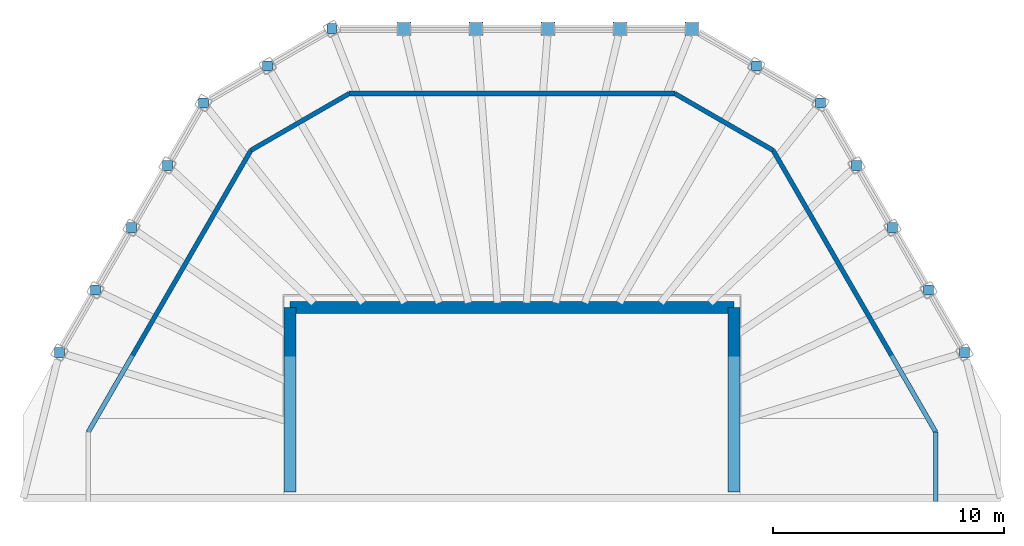
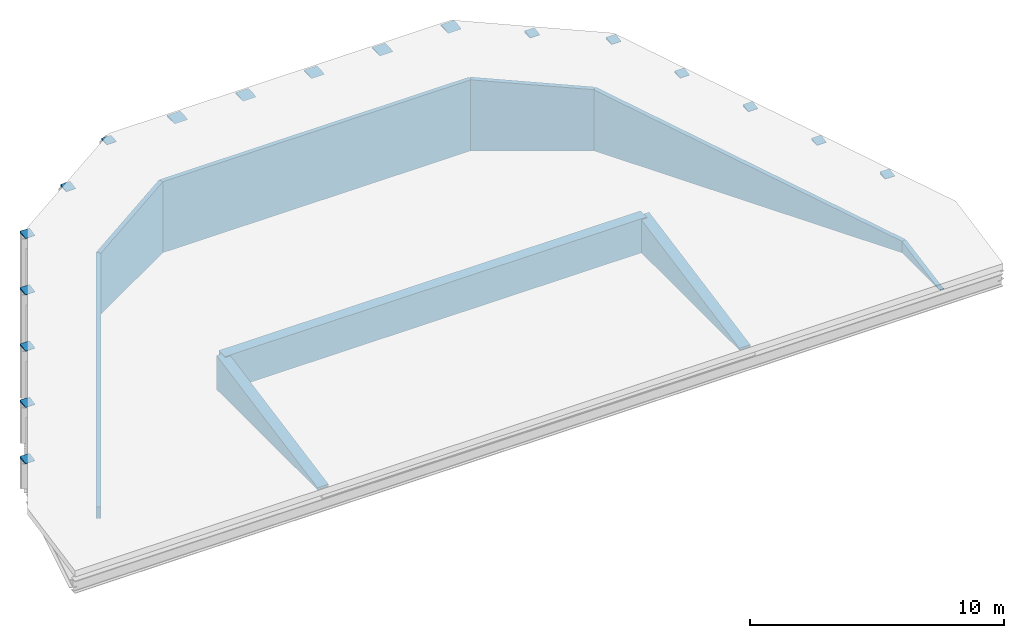
# One storey, part 2 of 3: 18 discrete accessories, 9 walls.
"""IFC4 building model written with IfcOpenShell, lengths in metres."""

from ifc_helpers import new_model, si_unit, direction, frame, origin, place, context, subcontext, project, spatial, polyline, outline, extrude, material, layer, layer_set, type_object, element, save


model = new_model("IFC4")

# Units and contexts
model_context = context("Model", 3, precision=1e-05, world=origin(), true_north=direction((0.0, 1.0)))
body_context = subcontext(model_context, "Body", "Model", "MODEL_VIEW")
ifc_project = project(units=[si_unit("LENGTHUNIT", "METRE"), si_unit("AREAUNIT", "SQUARE_METRE"), si_unit("VOLUMEUNIT", "CUBIC_METRE"), si_unit("PLANEANGLEUNIT", "RADIAN"), si_unit("MASSUNIT", "GRAM", prefix="KILO")], contexts=[model_context])

# Site, building, storey
site_placement = place(None, origin())
site = spatial("IfcSite", under=ifc_project, at=site_placement, CompositionType="ELEMENT")
building_placement = place(site_placement, origin())
building = spatial("IfcBuilding", under=site, at=building_placement, Name="Frailejon Research Tower", CompositionType="ELEMENT")
storey_placement = place(building_placement, frame((0.0, 0.0, 368.60009765625)))
storey = spatial("IfcBuildingStorey", under=building, at=storey_placement, Name="L83", CompositionType="ELEMENT", Elevation=368.60009765625)

# Walls
ifc_material_1 = material(Name="Concrete C50/60", Category="concrete")
ifc_layer_1 = layer(ifc_material_1, 0.5)
ifc_layer_set_1 = layer_set([ifc_layer_1], Name="Core shear wall 500 C50/60")
wall_type_1 = type_object("IfcWallType", Name="Core shear wall 500 C50/60", PredefinedType="SHEAR", material=ifc_layer_set_1)
wall_1_placement = place(storey_placement, frame((9.60009765625, -0.130126953125, 0.0), z_axis=(0.0, 0.0, 1.0), x_axis=(0.0, 1.0, 0.0)))
element("IfcWall", 1, at=wall_1_placement, inside=storey, type_object=wall_type_1, Name="Core shear wall", PredefinedType="SHEAR", context=body_context, shape_type="SweptSolid", body=[
    extrude(outline(polyline([(0.0, 0.0), (7.980224609375, 0.0), (7.980224609375, 1.640625), (0.0, 0.099853515625), (0.0, 0.0)])), frame((0.0, 0.25, 0.0), z_axis=(0.0, -1.0, 0.0), x_axis=(1.0, 0.0, 0.0)), (0.0, 0.0, 1.0), 0.5),
])
wall_2_placement = place(storey_placement, frame((9.60009765625, 7.85009765625, 0.0), z_axis=(0.0, 0.0, 1.0), x_axis=(-1.0, 0.0, 0.0)))
element("IfcWall", 2, at=wall_2_placement, inside=storey, type_object=wall_type_1, Name="Core shear wall", PredefinedType="SHEAR", context=body_context, shape_type="SweptSolid", body=[
    extrude(outline(polyline([(0.0, 0.0), (19.2001953125, 0.0), (19.199951171875, 1.640625), (0.0, 1.640625), (0.0, 0.0)])), frame((0.0, 0.25, 0.0), z_axis=(0.0, -1.0, 0.0), x_axis=(1.0, 0.0, 0.0)), (0.0, 0.0, 1.0), 0.5),
])
wall_3_placement = place(storey_placement, frame((-9.60009765625, 7.85009765625, 0.0), z_axis=(0.0, 0.0, 1.0), x_axis=(0.0, -1.0, 0.0)))
element("IfcWall", 3, at=wall_3_placement, inside=storey, type_object=wall_type_1, Name="Core shear wall", PredefinedType="SHEAR", context=body_context, shape_type="SweptSolid", body=[
    extrude(outline(polyline([(0.0, 0.0), (7.980224609375, 0.0), (7.980224609375, 0.099853515625), (0.0, 1.640625), (0.0, 0.0)])), frame((0.0, 0.25, 0.0), z_axis=(0.0, -1.0, 0.0), x_axis=(1.0, 0.0, 0.0)), (0.0, 0.0, 1.0), 0.5),
])
ifc_material_2 = material(Name="Aluminium louvre cladding panel", Category="aluminium")
ifc_layer_2 = layer(ifc_material_2, 0.199951171875)
ifc_layer_set_2 = layer_set([ifc_layer_2], Name="Crown louvred wall 200")
wall_type_2 = type_object("IfcWallType", Name="Crown louvred wall 200", PredefinedType="SOLIDWALL", material=ifc_layer_set_2)
wall_4_placement = place(storey_placement, frame((18.327392578125, -0.5302734375, 0.02978515625), z_axis=(0.0, 0.0, 1.0), x_axis=(0.0, 1.0, 0.0)))
element("IfcWall", 4, at=wall_4_placement, inside=storey, type_object=wall_type_2, Name="Crown louvred wall L83", PredefinedType="SOLIDWALL", context=body_context, shape_type="SweptSolid", body=[
    extrude(outline(polyline([(0.0, 0.0), (2.986083984375, 0.0), (2.986083984375, 0.5546875), (0.0, 0.0), (0.0, 0.0)])), frame((0.0, 0.10009765625, 0.0), z_axis=(0.0, -1.0, 0.0), x_axis=(1.0, 0.0, 0.0)), (0.0, 0.0, 1.0), 0.199951171875),
])
wall_5_placement = place(storey_placement, frame((18.327392578125, 2.455810546875, 0.02978515625), z_axis=(0.0, 0.0, 1.0), x_axis=(-0.499991740577, 0.866030172312, 0.0)))
element("IfcWall", 5, at=wall_5_placement, inside=storey, type_object=wall_type_2, Name="Crown louvred wall L83", PredefinedType="SOLIDWALL", context=body_context, shape_type="SweptSolid", body=[
    extrude(outline(polyline([(0.0, 0.0), (14.073974609375, 0.0), (14.073974609375, 2.941162109375), (0.0, 0.5546875), (0.0, 0.0)])), frame((0.0, 0.10009765625, 0.0), z_axis=(0.0, -1.0, 0.0), x_axis=(1.0, 0.0, 0.0)), (0.0, 0.0, 1.0), 0.199951171875),
])
wall_6_placement = place(storey_placement, frame((11.29052734375, 14.644287109375, 0.02978515625), z_axis=(0.0, 0.0, 1.0), x_axis=(-0.86601671623, 0.500015046984, 0.0)))
element("IfcWall", 6, at=wall_6_placement, inside=storey, type_object=wall_type_2, Name="Crown louvred wall L83", PredefinedType="SOLIDWALL", context=body_context, shape_type="SweptSolid", body=[
    extrude(outline(polyline([(0.0, 0.0), (4.911376953125, 0.0), (4.91162109375, 3.421875), (0.0, 2.941162109375), (0.0, 0.0)])), frame((0.0, 0.10009765625, 0.0), z_axis=(0.0, -1.0, 0.0), x_axis=(1.0, 0.0, 0.0)), (0.0, 0.0, 1.0), 0.199951171875),
])
wall_7_placement = place(storey_placement, frame((7.037109375, 17.10009765625, 0.02978515625), z_axis=(0.0, 0.0, 1.0), x_axis=(-1.0, 0.0, 0.0)))
element("IfcWall", 7, at=wall_7_placement, inside=storey, type_object=wall_type_2, Name="Crown louvred wall L83", PredefinedType="SOLIDWALL", context=body_context, shape_type="SweptSolid", body=[
    extrude(outline(polyline([(0.0, 0.0), (14.07421875, 0.0), (14.073974609375, 3.421875), (0.0, 3.421875), (0.0, 0.0)])), frame((0.0, 0.10009765625, 0.0), z_axis=(0.0, -1.0, 0.0), x_axis=(1.0, 0.0, 0.0)), (0.0, 0.0, 1.0), 0.199951171875),
])
wall_8_placement = place(storey_placement, frame((-7.037109375, 17.10009765625, 0.02978515625), z_axis=(0.0, 0.0, 1.0), x_axis=(-0.86601671623, -0.500015046984, 0.0)))
element("IfcWall", 8, at=wall_8_placement, inside=storey, type_object=wall_type_2, Name="Crown louvred wall L83", PredefinedType="SOLIDWALL", context=body_context, shape_type="SweptSolid", body=[
    extrude(outline(polyline([(0.0, 0.0), (4.911376953125, 0.0), (4.91162109375, 2.941162109375), (0.0, 3.421875), (0.0, 0.0)])), frame((0.0, 0.10009765625, 0.0), z_axis=(0.0, -1.0, 0.0), x_axis=(1.0, 0.0, 0.0)), (0.0, 0.0, 1.0), 0.199951171875),
])
wall_9_placement = place(storey_placement, frame((-11.29052734375, 14.644287109375, 0.02978515625), z_axis=(0.0, 0.0, 1.0), x_axis=(-0.499991740577, -0.866030172312, 0.0)))
element("IfcWall", 9, at=wall_9_placement, inside=storey, type_object=wall_type_2, Name="Crown louvred wall L83", PredefinedType="SOLIDWALL", context=body_context, shape_type="SweptSolid", body=[
    extrude(outline(polyline([(0.0, 0.0), (14.073974609375, 0.0), (14.073974609375, 0.5546875), (0.0, 2.941162109375), (0.0, 0.0)])), frame((0.0, 0.10009765625, 0.0), z_axis=(0.0, -1.0, 0.0), x_axis=(1.0, 0.0, 0.0)), (0.0, 0.0, 1.0), 0.199951171875),
])

# Discrete accessories
discrete_accessory_1_placement = place(storey_placement, frame((19.3505859375, 5.903564453125, 1.20068359375), z_axis=(1.0, 0.0, 0.0), x_axis=(0.0, 1.0, 0.0)))
element("IfcDiscreteAccessory", 10, at=discrete_accessory_1_placement, inside=storey, Name="Crown column bearing wedge", PredefinedType="ANCHORPLATE", context=body_context, shape_type="SweptSolid", body=[
    extrude(outline(polyline([(-0.219482421875, 0.0), (0.219482421875, 0.0), (0.219482421875, 0.101806640625), (-0.219482421875, 0.015869140625), (-0.219482421875, 0.0)])), origin(), (0.0, 0.0, 1.0), 0.439208984375),
])
discrete_accessory_2_placement = place(storey_placement, frame((17.79296875, 8.601318359375, 1.72900390625), z_axis=(1.0, 0.0, 0.0), x_axis=(0.0, 1.0, 0.0)))
element("IfcDiscreteAccessory", 11, at=discrete_accessory_2_placement, inside=storey, Name="Crown column bearing wedge", PredefinedType="ANCHORPLATE", context=body_context, shape_type="SweptSolid", body=[
    extrude(outline(polyline([(-0.219482421875, 0.0), (0.219482421875, 0.0), (0.219482421875, 0.101806640625), (-0.219482421875, 0.015625), (-0.219482421875, 0.0)])), origin(), (0.0, 0.0, 1.0), 0.439208984375),
])
discrete_accessory_3_placement = place(storey_placement, frame((16.235595703125, 11.298828125, 2.257080078125), z_axis=(1.0, 0.0, 0.0), x_axis=(0.0, 1.0, 0.0)))
element("IfcDiscreteAccessory", 12, at=discrete_accessory_3_placement, inside=storey, Name="Crown column bearing wedge", PredefinedType="ANCHORPLATE", context=body_context, shape_type="SweptSolid", body=[
    extrude(outline(polyline([(-0.219482421875, 0.0), (0.219482421875, 0.0), (0.219482421875, 0.101806640625), (-0.219482421875, 0.015869140625), (-0.219482421875, 0.0)])), origin(), (0.0, 0.0, 1.0), 0.439208984375),
])
for number, where, z_axis, x_axis, name in (
    (13, (14.677978515625, 13.996337890625, 2.785400390625), (1.0, 0.0, 0.0), (0.0, 1.0, 0.0), "Crown column bearing wedge"),
    (14, (13.12060546875, 16.69384765625, 3.3134765625), (1.0, 0.0, 0.0), (0.0, 1.0, 0.0), "Crown column bearing wedge"),
):
    element("IfcDiscreteAccessory", number, at=place(storey_placement, frame(where, z_axis=z_axis, x_axis=x_axis)), inside=storey, Name=name, PredefinedType="ANCHORPLATE", context=body_context, shape_type="SweptSolid", body=[
        extrude(outline(polyline([(-0.219482421875, 0.0), (0.219482421875, 0.0), (0.219482421875, 0.101806640625), (-0.219482421875, 0.015625), (-0.219482421875, 0.0)])), origin(), (0.0, 0.0, 1.0), 0.439208984375),
    ])
discrete_accessory_4_placement = place(storey_placement, frame((10.34423828125, 18.297119140625, 3.627197265625), z_axis=(1.0, 0.0, 0.0), x_axis=(0.0, 1.0, 0.0)))
element("IfcDiscreteAccessory", 15, at=discrete_accessory_4_placement, inside=storey, Name="Crown column bearing wedge", PredefinedType="ANCHORPLATE", context=body_context, shape_type="SweptSolid", body=[
    extrude(outline(polyline([(-0.219482421875, 0.0), (0.219482421875, 0.0), (0.219482421875, 0.101806640625), (-0.219482421875, 0.015869140625), (-0.219482421875, 0.0)])), origin(), (0.0, 0.0, 1.0), 0.439208984375),
])
for number, where, z_axis, x_axis, name in (
    (16, (7.4873046875, 19.89990234375, 3.941162109375), (1.0, 0.0, 0.0), (0.0, 1.0, 0.0), "Crown column bearing wedge"),
    (17, (4.372314453125, 19.89990234375, 3.941162109375), (1.0, 0.0, 0.0), (0.0, 1.0, 0.0), "Crown column bearing wedge"),
    (18, (1.25732421875, 19.89990234375, 3.941162109375), (1.0, 0.0, 0.0), (0.0, 1.0, 0.0), "Crown column bearing wedge"),
    (19, (-1.857421875, 19.89990234375, 3.941162109375), (1.0, 0.0, 0.0), (0.0, 1.0, 0.0), "Crown column bearing wedge"),
    (20, (-4.972412109375, 19.89990234375, 3.941162109375), (1.0, 0.0, 0.0), (0.0, 1.0, 0.0), "Crown column bearing wedge"),
):
    element("IfcDiscreteAccessory", number, at=place(storey_placement, frame(where, z_axis=z_axis, x_axis=x_axis)), inside=storey, Name=name, PredefinedType="ANCHORPLATE", context=body_context, shape_type="SweptSolid", body=[
        extrude(outline(polyline([(-0.300048828125, 0.0), (0.300048828125, 0.0), (0.300048828125, 0.05859375), (0.0, 0.05859375), (-0.300048828125, 0.0)])), origin(), (0.0, 0.0, 1.0), 0.60009765625),
    ])
discrete_accessory_5_placement = place(storey_placement, frame((-8.0068359375, 19.89990234375, 3.941162109375), z_axis=(1.0, 0.0, 0.0), x_axis=(0.0, 1.0, 0.0)))
element("IfcDiscreteAccessory", 21, at=discrete_accessory_5_placement, inside=storey, Name="Crown column bearing wedge", PredefinedType="ANCHORPLATE", context=body_context, shape_type="SweptSolid", body=[
    extrude(outline(polyline([(-0.219482421875, 0.0), (0.219482421875, 0.0), (0.219482421875, 0.05859375), (0.0, 0.05859375), (-0.219482421875, 0.015625), (-0.219482421875, 0.0)])), origin(), (0.0, 0.0, 1.0), 0.439208984375),
])
discrete_accessory_6_placement = place(storey_placement, frame((-10.783447265625, 18.297119140625, 3.627197265625), z_axis=(1.0, 0.0, 0.0), x_axis=(0.0, 1.0, 0.0)))
element("IfcDiscreteAccessory", 22, at=discrete_accessory_6_placement, inside=storey, Name="Crown column bearing wedge", PredefinedType="ANCHORPLATE", context=body_context, shape_type="SweptSolid", body=[
    extrude(outline(polyline([(-0.219482421875, 0.0), (0.219482421875, 0.0), (0.219482421875, 0.101806640625), (-0.219482421875, 0.015869140625), (-0.219482421875, 0.0)])), origin(), (0.0, 0.0, 1.0), 0.439208984375),
])
for number, where, z_axis, x_axis, name in (
    (23, (-13.559814453125, 16.69384765625, 3.3134765625), (1.0, 0.0, 0.0), (0.0, 1.0, 0.0), "Crown column bearing wedge"),
    (24, (-15.1171875, 13.996337890625, 2.785400390625), (1.0, 0.0, 0.0), (0.0, 1.0, 0.0), "Crown column bearing wedge"),
):
    element("IfcDiscreteAccessory", number, at=place(storey_placement, frame(where, z_axis=z_axis, x_axis=x_axis)), inside=storey, Name=name, PredefinedType="ANCHORPLATE", context=body_context, shape_type="SweptSolid", body=[
        extrude(outline(polyline([(-0.219482421875, 0.0), (0.219482421875, 0.0), (0.219482421875, 0.101806640625), (-0.219482421875, 0.015625), (-0.219482421875, 0.0)])), origin(), (0.0, 0.0, 1.0), 0.439208984375),
    ])
discrete_accessory_7_placement = place(storey_placement, frame((-16.6748046875, 11.298828125, 2.257080078125), z_axis=(1.0, 0.0, 0.0), x_axis=(0.0, 1.0, 0.0)))
element("IfcDiscreteAccessory", 25, at=discrete_accessory_7_placement, inside=storey, Name="Crown column bearing wedge", PredefinedType="ANCHORPLATE", context=body_context, shape_type="SweptSolid", body=[
    extrude(outline(polyline([(-0.219482421875, 0.0), (0.219482421875, 0.0), (0.219482421875, 0.101806640625), (-0.219482421875, 0.015869140625), (-0.219482421875, 0.0)])), origin(), (0.0, 0.0, 1.0), 0.439208984375),
])
discrete_accessory_8_placement = place(storey_placement, frame((-18.232177734375, 8.601318359375, 1.72900390625), z_axis=(1.0, 0.0, 0.0), x_axis=(0.0, 1.0, 0.0)))
element("IfcDiscreteAccessory", 26, at=discrete_accessory_8_placement, inside=storey, Name="Crown column bearing wedge", PredefinedType="ANCHORPLATE", context=body_context, shape_type="SweptSolid", body=[
    extrude(outline(polyline([(-0.219482421875, 0.0), (0.219482421875, 0.0), (0.219482421875, 0.101806640625), (-0.219482421875, 0.015625), (-0.219482421875, 0.0)])), origin(), (0.0, 0.0, 1.0), 0.439208984375),
])
discrete_accessory_9_placement = place(storey_placement, frame((-19.789794921875, 5.903564453125, 1.20068359375), z_axis=(1.0, 0.0, 0.0), x_axis=(0.0, 1.0, 0.0)))
element("IfcDiscreteAccessory", 27, at=discrete_accessory_9_placement, inside=storey, Name="Crown column bearing wedge", PredefinedType="ANCHORPLATE", context=body_context, shape_type="SweptSolid", body=[
    extrude(outline(polyline([(-0.219482421875, 0.0), (0.219482421875, 0.0), (0.219482421875, 0.101806640625), (-0.219482421875, 0.015869140625), (-0.219482421875, 0.0)])), origin(), (0.0, 0.0, 1.0), 0.439208984375),
])

save(model, "model.ifc")
